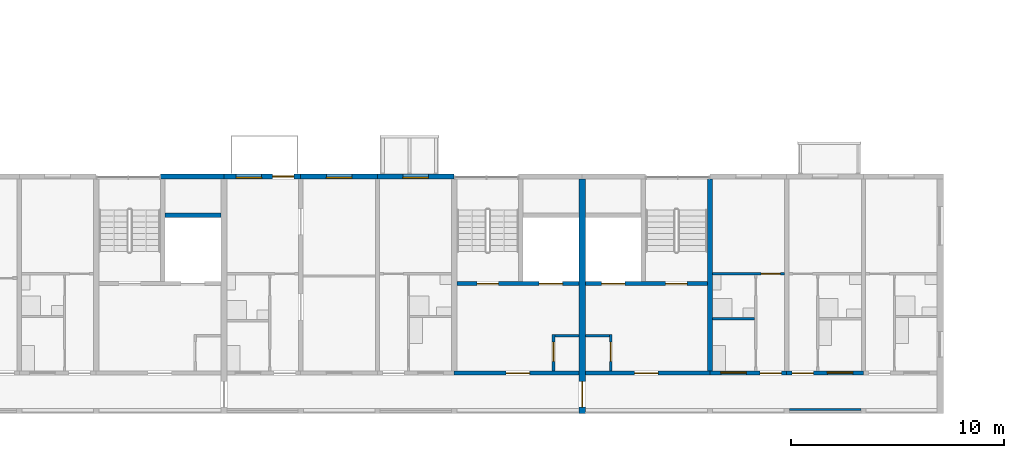
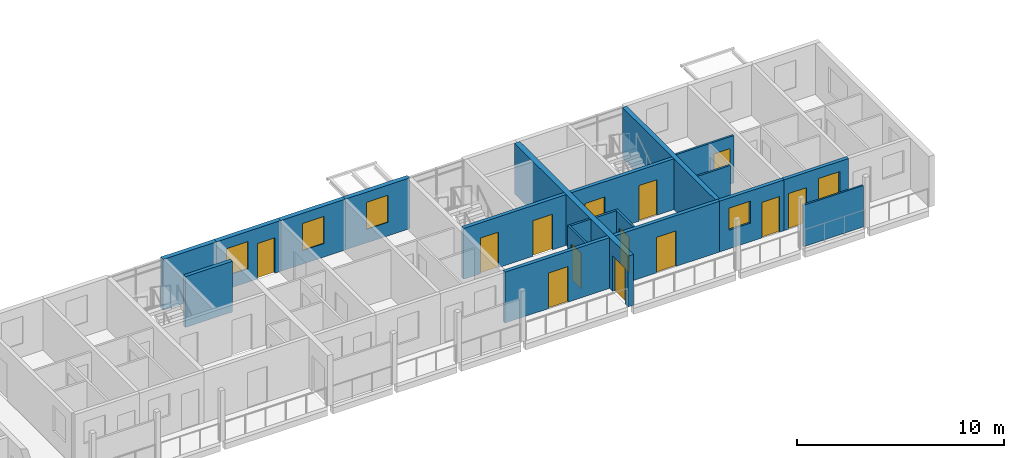
# One storey, part 37 of 78: 20 walls, 13 doors, 5 windows, 18 openings.
"""IFC4 building model written with IfcOpenShell, lengths in metres."""

import ifcopenshell
import ifcopenshell.guid

model = None  # the IFC model being written
_history = None  # IfcOwnerHistory: only IFC2X3 demands one
_inside = {}  # id of a spatial element -> (the spatial element, [elements in it])
_under = {}  # id of a project, library or spatial element -> (it, [spatial elements below it])
_declared = {}  # id of a project -> (the project, [libraries it declares])
_typed = {}  # id of a type object -> (the type object, [elements of that type])
_made_of = {}  # id of a material, layer set ... -> (it, [elements and type objects made of it])


def new_model(schema):
    """Start an empty IFC model of exactly this schema.

    Asked for "IFC4X3", IfcOpenShell would pick the latest addendum, in which some entities
    have other attributes; the version numbers below select the first issue.
    IFC2X3 requires an IfcOwnerHistory on every rooted entity: one is made here for all.
    """
    global model, _history
    if schema == "IFC4X3":
        model = ifcopenshell.file(schema_version=(4, 3, 0, 0))
    else:
        model = ifcopenshell.file(schema=schema)
    _inside.clear()
    _under.clear()
    _declared.clear()
    _typed.clear()
    _made_of.clear()
    _history = None
    if model.schema == "IFC2X3":
        org = make("IfcOrganization", Name="unknown")
        user = make(
            "IfcPersonAndOrganization",
            ThePerson=make("IfcPerson", FamilyName="unknown"),
            TheOrganization=org,
        )
        app = make(
            "IfcApplication",
            ApplicationDeveloper=org,
            Version="unknown",
            ApplicationFullName="unknown",
            ApplicationIdentifier="unknown",
        )
        _history = make(
            "IfcOwnerHistory",
            OwningUser=user,
            OwningApplication=app,
            ChangeAction="ADDED",
            CreationDate=0,
        )
    return model


def make(cls, **values):
    """One entity of the class cls with the attributes given. An attribute that is None is left unset."""
    return model.create_entity(
        cls, **{name: value for name, value in values.items() if value is not None}
    )


def rooted(cls, **values):
    """An entity with a GlobalId (a new one), such as an element, a storey or a relation."""
    return make(cls, GlobalId=ifcopenshell.guid.new(), OwnerHistory=_history, **values)


def si_unit(unit_type, name, prefix=None):
    """IfcSIUnit, for example si_unit("LENGTHUNIT", "METRE", prefix="MILLI")."""
    return make("IfcSIUnit", UnitType=unit_type, Prefix=prefix, Name=name)


def assignment(units):
    """IfcUnitAssignment: the units of a project."""
    return None if units is None else make("IfcUnitAssignment", Units=units)


def point(xyz):
    """IfcCartesianPoint."""
    return None if xyz is None else make("IfcCartesianPoint", Coordinates=xyz)


def direction(xyz):
    """IfcDirection."""
    return None if xyz is None else make("IfcDirection", DirectionRatios=xyz)


def frame(location, z_axis=None, x_axis=None):
    """IfcAxis2Placement3D, a coordinate frame: its origin and axes. An axis left out is left unset."""
    return make(
        "IfcAxis2Placement3D",
        Location=point(location),
        Axis=direction(z_axis),
        RefDirection=direction(x_axis),
    )


def frame_2d(location, x_axis=None):
    """IfcAxis2Placement2D, a coordinate frame in the plane: its origin and x axis."""
    return make(
        "IfcAxis2Placement2D", Location=point(location), RefDirection=direction(x_axis)
    )


def origin():
    """The frame at (0, 0, 0) with its axes left unset."""
    return frame((0.0, 0.0, 0.0))


def place(relative_to, where):
    """IfcLocalPlacement: puts the frame where relative to a parent placement (None: the world)."""
    return make(
        "IfcLocalPlacement", PlacementRelTo=relative_to, RelativePlacement=where
    )


def context(
    kind, dimensions, precision=None, world=None, true_north=None, identifier=None
):
    """IfcGeometricRepresentationContext, for example the 3D "Model" context."""
    return make(
        "IfcGeometricRepresentationContext",
        ContextIdentifier=identifier,
        ContextType=kind,
        CoordinateSpaceDimension=dimensions,
        Precision=precision,
        WorldCoordinateSystem=world,
        TrueNorth=true_north,
    )


def subcontext(parent, identifier, kind, view, scale=None):
    """IfcGeometricRepresentationSubContext, for example "Body" below "Model"."""
    return make(
        "IfcGeometricRepresentationSubContext",
        ContextIdentifier=identifier,
        ContextType=kind,
        ParentContext=parent,
        TargetScale=scale,
        TargetView=view,
    )


def project(units=None, contexts=None):
    """IfcProject with its units and contexts."""
    return rooted(
        "IfcProject",
        Name="project",
        RepresentationContexts=contexts,
        UnitsInContext=assignment(units),
    )


def spatial(cls, under=None, at=None, **own):
    """A site, building, storey or space (cls), placed at a placement, below another one or the project."""
    s = rooted(cls, ObjectPlacement=at, **own)
    if under is not None:
        _under.setdefault(under.id(), (under, []))[1].append(s)
    return s


def profile(cls, at=None, kind="AREA", **sizes):
    """A parametric profile (cls). Its sizes go by their IFC names, for example OverallWidth=200.0."""
    return make(cls, ProfileType=kind, Position=at, **sizes)


def rectangle(**sizes):
    """IfcRectangleProfileDef."""
    return profile("IfcRectangleProfileDef", **sizes)


def extrude(swept, where, along, depth):
    """IfcExtrudedAreaSolid: the profile swept, set in the frame where, extruded along a direction by depth."""
    return make(
        "IfcExtrudedAreaSolid",
        SweptArea=swept,
        Position=where,
        ExtrudedDirection=direction(along),
        Depth=depth,
    )


def shape(context_of_items, identifier, shape_type, items):
    """IfcShapeRepresentation: the items that make up one representation, for example the "Body"."""
    return make(
        "IfcShapeRepresentation",
        ContextOfItems=context_of_items,
        RepresentationIdentifier=identifier,
        RepresentationType=shape_type,
        Items=items,
    )


def material(Name=None, Category=None):
    """IfcMaterial."""
    return make("IfcMaterial", Name=Name, Category=Category)


def layer(
    of_material, thickness, ventilated=None, Name=None, Category=None, Priority=None
):
    """IfcMaterialLayer: one layer of a wall or slab, of a material (None: an air gap)."""
    return make(
        "IfcMaterialLayer",
        Material=of_material,
        LayerThickness=thickness,
        IsVentilated=ventilated,
        Name=Name,
        Category=Category,
        Priority=Priority,
    )


def layer_set(layers, Name=None):
    """IfcMaterialLayerSet."""
    return make("IfcMaterialLayerSet", MaterialLayers=layers, LayerSetName=Name)


def made_of(thing, what):
    """Note that an element or type object is made of a material, layer set ...; save() writes the relation."""
    if what is not None:
        _made_of.setdefault(what.id(), (what, []))[1].append(thing)
    return thing


def type_object(cls, material=None, **own):
    """A type object (cls), such as IfcWallType, which elements share."""
    return made_of(rooted(cls, **own), material)


def element(
    cls,
    number,
    at=None,
    inside=None,
    cuts=None,
    type_object=None,
    material=None,
    context=None,
    identifier="Body",
    shape_type=None,
    held_by="IfcProductDefinitionShape",
    body=None,
    shapes=None,
    **own,
):
    """One element of the class cls, such as IfcWall. Its Tag is "e" and its number.

    at: its placement. inside: the storey or other place that contains it. cuts: it is an
    opening in that element (IfcRelVoidsElement). A single representation is given by context,
    identifier, shape_type and body (its items); several are given by shapes. held_by: the class
    of the entity that holds the representations. save() writes the other relations.
    """
    e = rooted(cls, Tag="e%d" % number, ObjectPlacement=at, **own)
    if body is not None:
        shapes = [shape(context, identifier, shape_type, body)]
    if shapes is not None:
        e.Representation = make(held_by, Representations=shapes)
    if inside is not None:
        _inside.setdefault(inside.id(), (inside, []))[1].append(e)
    if cuts is not None:
        rooted(
            "IfcRelVoidsElement", RelatingBuildingElement=cuts, RelatedOpeningElement=e
        )
    if type_object is not None:
        _typed.setdefault(type_object.id(), (type_object, []))[1].append(e)
    return made_of(e, material)


def fill(opening, filler):
    """IfcRelFillsElement: the door or window that sits in an opening."""
    return rooted(
        "IfcRelFillsElement",
        RelatingOpeningElement=opening,
        RelatedBuildingElement=filler,
    )


def aggregate(whole, parts):
    """IfcRelAggregates: a whole, such as a stair, and the parts it consists of."""
    return rooted("IfcRelAggregates", RelatingObject=whole, RelatedObjects=parts)


def save(model, path):
    """Write the relations noted so far, then the file.

    IfcRelAggregates (storeys below a building ...), IfcRelContainedInSpatialStructure (elements
    in a storey), IfcRelDefinesByType, IfcRelAssociatesMaterial and IfcRelDeclares: one each for
    every whole, place, type object, material and project.
    """
    for whole, parts in _under.values():
        aggregate(whole, parts)
    for where, things in _inside.values():
        rooted(
            "IfcRelContainedInSpatialStructure",
            RelatedElements=things,
            RelatingStructure=where,
        )
    for kind, things in _typed.values():
        rooted("IfcRelDefinesByType", RelatedObjects=things, RelatingType=kind)
    for what, things in _made_of.values():
        rooted("IfcRelAssociatesMaterial", RelatedObjects=things, RelatingMaterial=what)
    for by, libraries in _declared.values():
        rooted("IfcRelDeclares", RelatingContext=by, RelatedDefinitions=libraries)
    model.write(path)


model = new_model("IFC4")

# Units and contexts
model_context = context("Model", 3, precision=1e-05, world=origin(), true_north=direction((0.0, 1.0)))
body_context = subcontext(model_context, "Body", "Model", "MODEL_VIEW")
ifc_project = project(units=[si_unit("LENGTHUNIT", "METRE"), si_unit("AREAUNIT", "SQUARE_METRE"), si_unit("VOLUMEUNIT", "CUBIC_METRE"), si_unit("PLANEANGLEUNIT", "RADIAN"), si_unit("MASSUNIT", "GRAM", prefix="KILO")], contexts=[model_context])

# Site, building, storey
site_placement = place(None, origin())
site = spatial("IfcSite", under=ifc_project, at=site_placement, CompositionType="ELEMENT")
building_placement = place(site_placement, origin())
building = spatial("IfcBuilding", under=site, at=building_placement, Name="Ridgestep Commons", CompositionType="ELEMENT")
storey_placement = place(building_placement, frame((0.0, 0.0, 30.0)))
storey = spatial("IfcBuildingStorey", under=building, at=storey_placement, Name="L10", CompositionType="ELEMENT", Elevation=30.0)

# Wall
ifc_material_1 = material(Name="Concrete C30/37", Category="concrete")
ifc_layer_1 = layer(ifc_material_1, 0.25)
ifc_layer_set_1 = layer_set([ifc_layer_1], Name="Core cross wall 250")
wall_type_1 = type_object("IfcWallType", Name="Core cross wall 250", PredefinedType="SHEAR", material=ifc_layer_set_1)
wall_1_placement = place(storey_placement, frame((102.0, 13.75, 0.0), z_axis=(0.0, 0.0, 1.0), x_axis=(0.0, 1.0, 0.0)))
element("IfcWall", 1, at=wall_1_placement, inside=storey, type_object=wall_type_1, Name="Cross wall A-10-1020", PredefinedType="SHEAR", context=body_context, shape_type="SweptSolid", body=[
    extrude(rectangle(XDim=9.0, YDim=0.25, at=frame_2d((4.5, 0.0))), origin(), (0.0, 0.0, 1.0), 3.0),
])

# Wall, opening, door
ifc_material_2 = material(Name="Concrete C30/37", Category="concrete")
ifc_layer_2 = layer(ifc_material_2, 0.199951171875)
ifc_layer_set_2 = layer_set([ifc_layer_2], Name="Core south wall 200")
wall_type_2 = type_object("IfcWallType", Name="Core south wall 200", PredefinedType="SHEAR", material=ifc_layer_set_2)
wall_2_placement = place(storey_placement, frame((90.0, 13.64990234375, 0.0), z_axis=(0.0, 0.0, 1.0), x_axis=(1.0, 0.0, 0.0)))
wall_2 = element("IfcWall", 2, at=wall_2_placement, inside=storey, type_object=wall_type_2, Name="Core south wall A5C L10", PredefinedType="SHEAR", context=body_context, shape_type="SweptSolid", body=[
    extrude(rectangle(XDim=5.85009765625, YDim=0.199951171875, at=frame_2d((2.925048828125, 0.0))), origin(), (0.0, 0.0, 1.0), 3.0),
])
opening_1_placement = place(wall_2_placement, frame((2.4375, 0.0, 0.0)))
opening_1 = element("IfcOpeningElement", 3, at=opening_1_placement, cuts=wall_2, Name="Opening A5C/10/1", PredefinedType="OPENING", context=body_context, shape_type="SweptSolid", body=[
    extrude(rectangle(XDim=1.10009765625, YDim=2.10009765625, at=frame_2d((0.550048828125, 1.050048828125))), frame((0.0, 0.10986328125, 0.0), z_axis=(0.0, -1.0, 0.0), x_axis=(1.0, 0.0, 0.0)), (0.0, 0.0, 1.0), 0.219970703125),
])
ifc_material_3 = material(Name="Steel fire door", Category="steel")
door_type_1 = type_object("IfcDoorType", Name="Lobby door 1100 x 2100 FD60", OperationType="NOTDEFINED", PredefinedType="DOOR", material=ifc_material_3)
door_1_placement = place(opening_1_placement, origin())
door_1 = element("IfcDoor", 4, at=door_1_placement, inside=storey, type_object=door_type_1, Name="Lobby door A5C/10/1", OperationType="SINGLE_SWING_LEFT", OverallHeight=2.10009765625, OverallWidth=1.10009765625, PredefinedType="DOOR", context=body_context, shape_type="SweptSolid", body=[
    extrude(rectangle(XDim=1.10009765625, YDim=2.10009765625, at=frame_2d((0.550048828125, 1.050048828125))), frame((0.0, 0.02490234375, 0.0), z_axis=(0.0, -1.0, 0.0), x_axis=(1.0, 0.0, 0.0)), (0.0, 0.0, 1.0), 0.050048828125),
])
fill(opening_1, door_1)

wall_3_placement = place(storey_placement, frame((96.14990234375, 13.64990234375, 0.0), z_axis=(0.0, 0.0, 1.0), x_axis=(1.0, 0.0, 0.0)))
wall_3 = element("IfcWall", 5, at=wall_3_placement, inside=storey, type_object=wall_type_2, Name="Core south wall A6C L10", PredefinedType="SHEAR", context=body_context, shape_type="SweptSolid", body=[
    extrude(rectangle(XDim=5.85009765625, YDim=0.199951171875, at=frame_2d((2.925048828125, 0.0))), origin(), (0.0, 0.0, 1.0), 3.0),
])
opening_2_placement = place(wall_3_placement, frame((2.3125, 0.0, 0.0)))
opening_2 = element("IfcOpeningElement", 6, at=opening_2_placement, cuts=wall_3, Name="Opening A6C/10/1", PredefinedType="OPENING", context=body_context, shape_type="SweptSolid", body=[
    extrude(rectangle(XDim=1.10009765625, YDim=2.10009765625, at=frame_2d((0.550048828125, 1.050048828125))), frame((0.0, 0.10986328125, 0.0), z_axis=(0.0, -1.0, 0.0), x_axis=(1.0, 0.0, 0.0)), (0.0, 0.0, 1.0), 0.219970703125),
])
door_2_placement = place(opening_2_placement, origin())
door_2 = element("IfcDoor", 7, at=door_2_placement, inside=storey, type_object=door_type_1, Name="Lobby door A6C/10/1", OperationType="SINGLE_SWING_LEFT", OverallHeight=2.10009765625, OverallWidth=1.10009765625, PredefinedType="DOOR", context=body_context, shape_type="SweptSolid", body=[
    extrude(rectangle(XDim=1.10009765625, YDim=2.10009765625, at=frame_2d((0.550048828125, 1.050048828125))), frame((0.0, 0.02490234375, 0.0), z_axis=(0.0, -1.0, 0.0), x_axis=(1.0, 0.0, 0.0)), (0.0, 0.0, 1.0), 0.050048828125),
])
fill(opening_2, door_2)

ifc_material_4 = material(Name="Concrete C30/37", Category="concrete")
ifc_layer_3 = layer(ifc_material_4, 0.1201171875)
ifc_layer_set_3 = layer_set([ifc_layer_3], Name="Core wall 120")
wall_type_3 = type_object("IfcWallType", Name="Core wall 120", PredefinedType="SHEAR", material=ifc_layer_set_3)
wall_4_placement = place(storey_placement, frame((94.659912109375, 13.75, 0.0), z_axis=(0.0, 0.0, 1.0), x_axis=(0.0, 1.0, 0.0)))
wall_4 = element("IfcWall", 8, at=wall_4_placement, inside=storey, type_object=wall_type_3, Name="Core riser w wall A5C L10", PredefinedType="SHEAR", context=body_context, shape_type="SweptSolid", body=[
    extrude(rectangle(XDim=1.719970703125, YDim=0.1201171875, at=frame_2d((0.85986328125, 0.0))), origin(), (0.0, 0.0, 1.0), 3.0),
])
opening_3_placement = place(wall_4_placement, frame((0.449951171875, 0.0, 0.0)))
opening_3 = element("IfcOpeningElement", 9, at=opening_3_placement, cuts=wall_4, Name="Opening A5C/10/4", PredefinedType="OPENING", context=body_context, shape_type="SweptSolid", body=[
    extrude(rectangle(XDim=0.89990234375, YDim=2.10009765625, at=frame_2d((0.449951171875, 1.050048828125))), frame((0.0, 0.070068359375, 0.0), z_axis=(0.0, -1.0, 0.0), x_axis=(1.0, 0.0, 0.0)), (0.0, 0.0, 1.0), 0.14013671875),
])
ifc_material_5 = material(Name="Steel fire door", Category="steel")
door_type_2 = type_object("IfcDoorType", Name="Riser door 900 x 2100 FD60", OperationType="NOTDEFINED", PredefinedType="DOOR", material=ifc_material_5)
door_3_placement = place(opening_3_placement, origin())
door_3 = element("IfcDoor", 10, at=door_3_placement, inside=storey, type_object=door_type_2, Name="Riser door A5C/10/4", OperationType="SINGLE_SWING_LEFT", OverallHeight=2.10009765625, OverallWidth=0.89990234375, PredefinedType="DOOR", context=body_context, shape_type="SweptSolid", body=[
    extrude(rectangle(XDim=0.89990234375, YDim=2.10009765625, at=frame_2d((0.449951171875, 1.050048828125))), frame((0.0, 0.02490234375, 0.0), z_axis=(0.0, -1.0, 0.0), x_axis=(1.0, 0.0, 0.0)), (0.0, 0.0, 1.0), 0.050048828125),
])
fill(opening_3, door_3)

# Wall
wall_5_placement = place(storey_placement, frame((94.719970703125, 15.409912109375, 0.0), z_axis=(0.0, 0.0, 1.0), x_axis=(1.0, 0.0, 0.0)))
element("IfcWall", 11, at=wall_5_placement, inside=storey, type_object=wall_type_3, Name="Core riser n wall A5C L10", PredefinedType="SHEAR", context=body_context, shape_type="SweptSolid", body=[
    extrude(rectangle(XDim=1.130126953125, YDim=0.1201171875, at=frame_2d((0.56494140625, 0.0))), origin(), (0.0, 0.0, 1.0), 3.0),
])

# Wall, opening, door
wall_6_placement = place(storey_placement, frame((97.340087890625, 13.75, 0.0), z_axis=(0.0, 0.0, 1.0), x_axis=(0.0, 1.0, 0.0)))
wall_6 = element("IfcWall", 12, at=wall_6_placement, inside=storey, type_object=wall_type_3, Name="Core riser w wall A6C L10", PredefinedType="SHEAR", context=body_context, shape_type="SweptSolid", body=[
    extrude(rectangle(XDim=1.719970703125, YDim=0.1201171875, at=frame_2d((0.85986328125, 0.0))), origin(), (0.0, 0.0, 1.0), 3.0),
])
opening_4_placement = place(wall_6_placement, frame((0.449951171875, 0.0, 0.0)))
opening_4 = element("IfcOpeningElement", 13, at=opening_4_placement, cuts=wall_6, Name="Opening A6C/10/4", PredefinedType="OPENING", context=body_context, shape_type="SweptSolid", body=[
    extrude(rectangle(XDim=0.89990234375, YDim=2.10009765625, at=frame_2d((0.449951171875, 1.050048828125))), frame((0.0, 0.070068359375, 0.0), z_axis=(0.0, -1.0, 0.0), x_axis=(1.0, 0.0, 0.0)), (0.0, 0.0, 1.0), 0.14013671875),
])
door_4_placement = place(opening_4_placement, origin())
door_4 = element("IfcDoor", 14, at=door_4_placement, inside=storey, type_object=door_type_2, Name="Riser door A6C/10/4", OperationType="SINGLE_SWING_RIGHT", OverallHeight=2.10009765625, OverallWidth=0.89990234375, PredefinedType="DOOR", context=body_context, shape_type="SweptSolid", body=[
    extrude(rectangle(XDim=0.89990234375, YDim=2.10009765625, at=frame_2d((0.449951171875, 1.050048828125))), frame((0.0, 0.02490234375, 0.0), z_axis=(0.0, -1.0, 0.0), x_axis=(1.0, 0.0, 0.0)), (0.0, 0.0, 1.0), 0.050048828125),
])
fill(opening_4, door_4)

# Walls
wall_7_placement = place(storey_placement, frame((96.14990234375, 15.409912109375, 0.0), z_axis=(0.0, 0.0, 1.0), x_axis=(1.0, 0.0, 0.0)))
element("IfcWall", 15, at=wall_7_placement, inside=storey, type_object=wall_type_3, Name="Core riser n wall A6C L10", PredefinedType="SHEAR", context=body_context, shape_type="SweptSolid", body=[
    extrude(rectangle(XDim=1.130126953125, YDim=0.1201171875, at=frame_2d((0.56494140625, 0.0))), origin(), (0.0, 0.0, 1.0), 3.0),
])
ifc_material_6 = material(Name="Concrete C30/37", Category="concrete")
ifc_layer_4 = layer(ifc_material_6, 0.199951171875)
ifc_layer_set_4 = layer_set([ifc_layer_4], Name="Core wall 200")
wall_type_4 = type_object("IfcWallType", Name="Core wall 200", PredefinedType="SHEAR", material=ifc_layer_set_4)
wall_8_placement = place(storey_placement, frame((76.425048828125, 21.050048828125, 0.0), z_axis=(0.0, 0.0, 1.0), x_axis=(1.0, 0.0, 0.0)))
element("IfcWall", 16, at=wall_8_placement, inside=storey, type_object=wall_type_4, Name="Core duct wall A4C L10", PredefinedType="SHEAR", context=body_context, shape_type="SweptSolid", body=[
    extrude(rectangle(XDim=2.625, YDim=0.199951171875, at=frame_2d((1.3125, 0.0))), origin(), (0.0, 0.0, 1.0), 3.0),
])

# Wall, openings, doors
wall_9_placement = place(storey_placement, frame((90.125, 17.85009765625, 0.0), z_axis=(0.0, 0.0, 1.0), x_axis=(1.0, 0.0, 0.0)))
wall_9 = element("IfcWall", 17, at=wall_9_placement, inside=storey, type_object=wall_type_4, Name="Core lobby wall A5C L10", PredefinedType="SHEAR", context=body_context, shape_type="SweptSolid", body=[
    extrude(rectangle(XDim=5.72509765625, YDim=0.199951171875, at=frame_2d((2.862548828125, 0.0))), origin(), (0.0, 0.0, 1.0), 3.0),
])
opening_5_placement = place(wall_9_placement, frame((0.949951171875, 0.0, 0.0)))
opening_5 = element("IfcOpeningElement", 18, at=opening_5_placement, cuts=wall_9, Name="Opening A5C/10/2", PredefinedType="OPENING", context=body_context, shape_type="SweptSolid", body=[
    extrude(rectangle(XDim=1.0, YDim=2.10009765625, at=frame_2d((0.5, 1.050048828125))), frame((0.0, 0.10986328125, 0.0), z_axis=(0.0, -1.0, 0.0), x_axis=(1.0, 0.0, 0.0)), (0.0, 0.0, 1.0), 0.219970703125),
])
opening_6_placement = place(wall_9_placement, frame((3.862548828125, 0.0, 0.0)))
opening_6 = element("IfcOpeningElement", 19, at=opening_6_placement, cuts=wall_9, Name="Opening A5C/10/3", PredefinedType="OPENING", context=body_context, shape_type="SweptSolid", body=[
    extrude(rectangle(XDim=1.10009765625, YDim=2.10009765625, at=frame_2d((0.550048828125, 1.050048828125))), frame((0.0, 0.10986328125, 0.0), z_axis=(0.0, -1.0, 0.0), x_axis=(1.0, 0.0, 0.0)), (0.0, 0.0, 1.0), 0.219970703125),
])
ifc_material_7 = material(Name="Stainless steel", Category="steel")
door_type_3 = type_object("IfcDoorType", Name="Lift landing door 1100 x 2100 FD60", OperationType="DOUBLE_DOOR_SLIDING", PredefinedType="DOOR", material=ifc_material_7)
door_5_placement = place(opening_6_placement, origin())
door_5 = element("IfcDoor", 20, at=door_5_placement, inside=storey, type_object=door_type_3, Name="Landing door LD A5C L10", OperationType="DOUBLE_DOOR_SLIDING", OverallHeight=2.10009765625, OverallWidth=1.10009765625, PredefinedType="DOOR", context=body_context, shape_type="SweptSolid", body=[
    extrude(rectangle(XDim=1.10009765625, YDim=2.10009765625, at=frame_2d((0.550048828125, 1.050048828125))), frame((0.0, 0.02490234375, 0.0), z_axis=(0.0, -1.0, 0.0), x_axis=(1.0, 0.0, 0.0)), (0.0, 0.0, 1.0), 0.050048828125),
])
fill(opening_6, door_5)
ifc_material_8 = material(Name="Steel fire door", Category="steel")
door_type_4 = type_object("IfcDoorType", Name="Stair door 1000 x 2100 FD60", OperationType="NOTDEFINED", PredefinedType="DOOR", material=ifc_material_8)
door_6_placement = place(opening_5_placement, origin())
door_6 = element("IfcDoor", 21, at=door_6_placement, inside=storey, type_object=door_type_4, Name="Stair door A5C/10/2", OperationType="SINGLE_SWING_RIGHT", OverallHeight=2.10009765625, OverallWidth=1.0, PredefinedType="DOOR", context=body_context, shape_type="SweptSolid", body=[
    extrude(rectangle(XDim=1.0, YDim=2.10009765625, at=frame_2d((0.5, 1.050048828125))), frame((0.0, 0.02490234375, 0.0), z_axis=(0.0, -1.0, 0.0), x_axis=(1.0, 0.0, 0.0)), (0.0, 0.0, 1.0), 0.050048828125),
])
fill(opening_5, door_6)

wall_10_placement = place(storey_placement, frame((96.14990234375, 17.85009765625, 0.0), z_axis=(0.0, 0.0, 1.0), x_axis=(1.0, 0.0, 0.0)))
wall_10 = element("IfcWall", 22, at=wall_10_placement, inside=storey, type_object=wall_type_4, Name="Core lobby wall A6C L10", PredefinedType="SHEAR", context=body_context, shape_type="SweptSolid", body=[
    extrude(rectangle(XDim=5.72509765625, YDim=0.199951171875, at=frame_2d((2.862548828125, 0.0))), origin(), (0.0, 0.0, 1.0), 3.0),
])
opening_7_placement = place(wall_10_placement, frame((3.77490234375, 0.0, 0.0)))
opening_7 = element("IfcOpeningElement", 23, at=opening_7_placement, cuts=wall_10, Name="Opening A6C/10/2", PredefinedType="OPENING", context=body_context, shape_type="SweptSolid", body=[
    extrude(rectangle(XDim=1.0, YDim=2.10009765625, at=frame_2d((0.5, 1.050048828125))), frame((0.0, 0.10986328125, 0.0), z_axis=(0.0, -1.0, 0.0), x_axis=(1.0, 0.0, 0.0)), (0.0, 0.0, 1.0), 0.219970703125),
])
opening_8_placement = place(wall_10_placement, frame((0.762451171875, 0.0, 0.0)))
opening_8 = element("IfcOpeningElement", 24, at=opening_8_placement, cuts=wall_10, Name="Opening A6C/10/3", PredefinedType="OPENING", context=body_context, shape_type="SweptSolid", body=[
    extrude(rectangle(XDim=1.10009765625, YDim=2.10009765625, at=frame_2d((0.550048828125, 1.050048828125))), frame((0.0, 0.10986328125, 0.0), z_axis=(0.0, -1.0, 0.0), x_axis=(1.0, 0.0, 0.0)), (0.0, 0.0, 1.0), 0.219970703125),
])
door_7_placement = place(opening_8_placement, origin())
door_7 = element("IfcDoor", 25, at=door_7_placement, inside=storey, type_object=door_type_3, Name="Landing door LD A6C L10", OperationType="DOUBLE_DOOR_SLIDING", OverallHeight=2.10009765625, OverallWidth=1.10009765625, PredefinedType="DOOR", context=body_context, shape_type="SweptSolid", body=[
    extrude(rectangle(XDim=1.10009765625, YDim=2.10009765625, at=frame_2d((0.550048828125, 1.050048828125))), frame((0.0, 0.02490234375, 0.0), z_axis=(0.0, -1.0, 0.0), x_axis=(1.0, 0.0, 0.0)), (0.0, 0.0, 1.0), 0.050048828125),
])
fill(opening_8, door_7)
door_8_placement = place(opening_7_placement, origin())
door_8 = element("IfcDoor", 26, at=door_8_placement, inside=storey, type_object=door_type_4, Name="Stair door A6C/10/2", OperationType="SINGLE_SWING_RIGHT", OverallHeight=2.10009765625, OverallWidth=1.0, PredefinedType="DOOR", context=body_context, shape_type="SweptSolid", body=[
    extrude(rectangle(XDim=1.0, YDim=2.10009765625, at=frame_2d((0.5, 1.050048828125))), frame((0.0, 0.02490234375, 0.0), z_axis=(0.0, -1.0, 0.0), x_axis=(1.0, 0.0, 0.0)), (0.0, 0.0, 1.0), 0.050048828125),
])
fill(opening_7, door_8)

# Wall, opening, door
ifc_material_9 = material(Name="Precast concrete C40/50", Category="concrete")
ifc_layer_5 = layer(ifc_material_9, 0.300048828125)
ifc_layer_set_5 = layer_set([ifc_layer_5], Name="Division wall 300")
wall_type_5 = type_object("IfcWallType", Name="Division wall 300", PredefinedType="SHEAR", material=ifc_layer_set_5)
wall_11_placement = place(storey_placement, frame((96.0, 11.75, 0.0), z_axis=(0.0, 0.0, 1.0), x_axis=(0.0, 1.0, 0.0)))
wall_11 = element("IfcWall", 27, at=wall_11_placement, inside=storey, type_object=wall_type_5, Name="Cross wall A-10-0960", PredefinedType="SHEAR", context=body_context, shape_type="SweptSolid", body=[
    extrude(rectangle(XDim=11.0, YDim=0.300048828125, at=frame_2d((5.5, 0.0))), origin(), (0.0, 0.0, 1.0), 3.0),
])
opening_9_placement = place(wall_11_placement, frame((0.300048828125, 0.0, 0.0)))
opening_9 = element("IfcOpeningElement", 28, at=opening_9_placement, cuts=wall_11, Name="Opening A/10/G0960", PredefinedType="OPENING", context=body_context, shape_type="SweptSolid", body=[
    extrude(rectangle(XDim=1.199951171875, YDim=2.10009765625, at=frame_2d((0.60009765625, 1.050048828125))), frame((0.0, 0.159912109375, 0.0), z_axis=(0.0, -1.0, 0.0), x_axis=(1.0, 0.0, 0.0)), (0.0, 0.0, 1.0), 0.320068359375),
])
ifc_material_10 = material(Name="Steel fire door", Category="steel")
door_type_5 = type_object("IfcDoorType", Name="Division fire door 1200 x 2100 EI 240", OperationType="DOUBLE_DOOR_SINGLE_SWING", PredefinedType="DOOR", material=ifc_material_10)
door_9_placement = place(opening_9_placement, origin())
door_9 = element("IfcDoor", 29, at=door_9_placement, inside=storey, type_object=door_type_5, Name="Division fire door A/10/G0960", OperationType="DOUBLE_DOOR_SINGLE_SWING", OverallHeight=2.10009765625, OverallWidth=1.199951171875, PredefinedType="DOOR", context=body_context, shape_type="SweptSolid", body=[
    extrude(rectangle(XDim=1.199951171875, YDim=2.10009765625, at=frame_2d((0.60009765625, 1.050048828125))), frame((0.0, 0.02490234375, 0.0), z_axis=(0.0, -1.0, 0.0), x_axis=(1.0, 0.0, 0.0)), (0.0, 0.0, 1.0), 0.050048828125),
])
fill(opening_9, door_9)

# Wall
ifc_material_11 = material(Name="Precast concrete C40/50", Category="concrete")
ifc_layer_6 = layer(ifc_material_11, 0.25)
ifc_layer_set_6 = layer_set([ifc_layer_6], Name="North facade panel 250")
wall_type_6 = type_object("IfcWallType", Name="North facade panel 250", PredefinedType="SOLIDWALL", material=ifc_layer_set_6)
wall_12_placement = place(storey_placement, frame((76.22509765625, 22.875, 0.0), z_axis=(0.0, 0.0, 1.0), x_axis=(1.0, 0.0, 0.0)))
element("IfcWall", 30, at=wall_12_placement, inside=storey, type_object=wall_type_6, Name="North panel A4C L10", PredefinedType="SOLIDWALL", context=body_context, shape_type="SweptSolid", body=[
    extrude(rectangle(XDim=2.974853515625, YDim=0.25, at=frame_2d((1.4873046875, 0.0))), origin(), (0.0, 0.0, 1.0), 3.0),
])

# Wall, openings, door, window
wall_13_placement = place(storey_placement, frame((79.199951171875, 22.875, 0.0), z_axis=(0.0, 0.0, 1.0), x_axis=(1.0, 0.0, 0.0)))
wall_13 = element("IfcWall", 31, at=wall_13_placement, inside=storey, type_object=wall_type_6, Name="North panel A5T1 L10", PredefinedType="SOLIDWALL", context=body_context, shape_type="SweptSolid", body=[
    extrude(rectangle(XDim=3.60009765625, YDim=0.25, at=frame_2d((1.800048828125, 0.0))), origin(), (0.0, 0.0, 1.0), 3.0),
])
opening_10_placement = place(wall_13_placement, frame((0.56591796875, 0.0, 0.800048828125)))
opening_10 = element("IfcOpeningElement", 32, at=opening_10_placement, cuts=wall_13, Name="Opening W11", PredefinedType="OPENING", context=body_context, shape_type="SweptSolid", body=[
    extrude(rectangle(XDim=1.199951171875, YDim=1.60009765625, at=frame_2d((0.60009765625, 0.800048828125))), frame((0.0, 0.135009765625, 0.0), z_axis=(0.0, -1.0, 0.0), x_axis=(1.0, 0.0, 0.0)), (0.0, 0.0, 1.0), 0.27001953125),
])
opening_11_placement = place(wall_13_placement, frame((2.281982421875, 0.0, 0.0)))
opening_11 = element("IfcOpeningElement", 33, at=opening_11_placement, cuts=wall_13, Name="Opening A5-10a/7", PredefinedType="OPENING", context=body_context, shape_type="SweptSolid", body=[
    extrude(rectangle(XDim=1.0, YDim=2.10009765625, at=frame_2d((0.5, 1.050048828125))), frame((0.0, 0.135009765625, 0.0), z_axis=(0.0, -1.0, 0.0), x_axis=(1.0, 0.0, 0.0)), (0.0, 0.0, 1.0), 0.27001953125),
])
ifc_material_12 = material(Name="Aluminium and glass", Category="aluminium")
door_type_6 = type_object("IfcDoorType", Name="Balcony door 1000 x 2100", OperationType="NOTDEFINED", PredefinedType="DOOR", material=ifc_material_12)
door_10_placement = place(opening_11_placement, origin())
door_10 = element("IfcDoor", 34, at=door_10_placement, inside=storey, type_object=door_type_6, Name="Balcony door A5-10a/7", OperationType="SINGLE_SWING_LEFT", OverallHeight=2.10009765625, OverallWidth=1.0, PredefinedType="DOOR", context=body_context, shape_type="SweptSolid", body=[
    extrude(rectangle(XDim=1.0, YDim=2.10009765625, at=frame_2d((0.5, 1.050048828125))), frame((0.0, 0.02490234375, 0.0), z_axis=(0.0, -1.0, 0.0), x_axis=(1.0, 0.0, 0.0)), (0.0, 0.0, 1.0), 0.050048828125),
])
fill(opening_11, door_10)
ifc_material_13 = material(Name="Aluminium 6063-T6 and glass", Category="aluminium")
window_type_1 = type_object("IfcWindowType", Name="Flat window 1200 x 1600", PartitioningType="SINGLE_PANEL", PredefinedType="WINDOW", material=ifc_material_13)
window_1_placement = place(opening_10_placement, origin())
window_1 = element("IfcWindow", 35, at=window_1_placement, inside=storey, type_object=window_type_1, Name="Window A5-10a 4", OverallHeight=1.60009765625, OverallWidth=1.199951171875, PartitioningType="SINGLE_PANEL", PredefinedType="WINDOW", context=body_context, shape_type="SweptSolid", body=[
    extrude(rectangle(XDim=1.199951171875, YDim=1.60009765625, at=frame_2d((0.60009765625, 0.800048828125))), frame((0.0, -0.02490234375, 0.0), z_axis=(0.0, -1.0, 0.0), x_axis=(1.0, 0.0, 0.0)), (0.0, 0.0, 1.0), 0.06005859375),
])
fill(opening_10, window_1)

# Wall, opening, window
wall_14_placement = place(storey_placement, frame((82.800048828125, 22.875, 0.0), z_axis=(0.0, 0.0, 1.0), x_axis=(1.0, 0.0, 0.0)))
wall_14 = element("IfcWall", 36, at=wall_14_placement, inside=storey, type_object=wall_type_6, Name="North panel A5T2 L10", PredefinedType="SOLIDWALL", context=body_context, shape_type="SweptSolid", body=[
    extrude(rectangle(XDim=3.599853515625, YDim=0.25, at=frame_2d((1.7998046875, 0.0))), origin(), (0.0, 0.0, 1.0), 3.0),
])
opening_12_placement = place(wall_14_placement, frame((1.199951171875, 0.0, 0.800048828125)))
opening_12 = element("IfcOpeningElement", 37, at=opening_12_placement, cuts=wall_14, Name="Opening W11", PredefinedType="OPENING", context=body_context, shape_type="SweptSolid", body=[
    extrude(rectangle(XDim=1.199951171875, YDim=1.60009765625, at=frame_2d((0.60009765625, 0.800048828125))), frame((0.0, 0.135009765625, 0.0), z_axis=(0.0, -1.0, 0.0), x_axis=(1.0, 0.0, 0.0)), (0.0, 0.0, 1.0), 0.27001953125),
])
window_2_placement = place(opening_12_placement, origin())
window_2 = element("IfcWindow", 38, at=window_2_placement, inside=storey, type_object=window_type_1, Name="Window A5-10a 2", OverallHeight=1.60009765625, OverallWidth=1.199951171875, PartitioningType="SINGLE_PANEL", PredefinedType="WINDOW", context=body_context, shape_type="SweptSolid", body=[
    extrude(rectangle(XDim=1.199951171875, YDim=1.60009765625, at=frame_2d((0.60009765625, 0.800048828125))), frame((0.0, -0.02490234375, 0.0), z_axis=(0.0, -1.0, 0.0), x_axis=(1.0, 0.0, 0.0)), (0.0, 0.0, 1.0), 0.06005859375),
])
fill(opening_12, window_2)

wall_15_placement = place(storey_placement, frame((86.39990234375, 22.875, 0.0), z_axis=(0.0, 0.0, 1.0), x_axis=(1.0, 0.0, 0.0)))
wall_15 = element("IfcWall", 39, at=wall_15_placement, inside=storey, type_object=wall_type_6, Name="North panel A5T3 L10", PredefinedType="SOLIDWALL", context=body_context, shape_type="SweptSolid", body=[
    extrude(rectangle(XDim=3.60009765625, YDim=0.25, at=frame_2d((1.800048828125, 0.0))), origin(), (0.0, 0.0, 1.0), 3.0),
])
opening_13_placement = place(wall_15_placement, frame((1.1875, 0.0, 0.800048828125)))
opening_13 = element("IfcOpeningElement", 40, at=opening_13_placement, cuts=wall_15, Name="Opening W11", PredefinedType="OPENING", context=body_context, shape_type="SweptSolid", body=[
    extrude(rectangle(XDim=1.199951171875, YDim=1.60009765625, at=frame_2d((0.60009765625, 0.800048828125))), frame((0.0, 0.135009765625, 0.0), z_axis=(0.0, -1.0, 0.0), x_axis=(1.0, 0.0, 0.0)), (0.0, 0.0, 1.0), 0.27001953125),
])
window_3_placement = place(opening_13_placement, origin())
window_3 = element("IfcWindow", 41, at=window_3_placement, inside=storey, type_object=window_type_1, Name="Window A5-10b 2", OverallHeight=1.60009765625, OverallWidth=1.199951171875, PartitioningType="SINGLE_PANEL", PredefinedType="WINDOW", context=body_context, shape_type="SweptSolid", body=[
    extrude(rectangle(XDim=1.199951171875, YDim=1.60009765625, at=frame_2d((0.60009765625, 0.800048828125))), frame((0.0, -0.02490234375, 0.0), z_axis=(0.0, -1.0, 0.0), x_axis=(1.0, 0.0, 0.0)), (0.0, 0.0, 1.0), 0.06005859375),
])
fill(opening_13, window_3)

# Wall
ifc_material_14 = material(Name="Common brick 110 mm", Category="masonry")
ifc_layer_7 = layer(ifc_material_14, 0.110107421875)
ifc_layer_set_7 = layer_set([ifc_layer_7], Name="Partition 110")
wall_type_7 = type_object("IfcWallType", Name="Partition 110", PredefinedType="PARTITIONING", material=ifc_layer_set_7)
wall_16_placement = place(storey_placement, frame((102.125, 16.205078125, 0.0), z_axis=(0.0, 0.0, 1.0), x_axis=(1.0, 0.0, 0.0)))
element("IfcWall", 42, at=wall_16_placement, inside=storey, type_object=wall_type_7, Name="Partition A6-10c", PredefinedType="PARTITIONING", context=body_context, shape_type="SweptSolid", body=[
    extrude(rectangle(XDim=1.965087890625, YDim=0.110107421875, at=frame_2d((0.982421875, 0.0))), origin(), (0.0, 0.0, 1.0), 2.800048828125),
])

# Wall, opening, door
wall_17_placement = place(storey_placement, frame((102.125, 18.304931640625, 0.0), z_axis=(0.0, 0.0, 1.0), x_axis=(1.0, 0.0, 0.0)))
wall_17 = element("IfcWall", 43, at=wall_17_placement, inside=storey, type_object=wall_type_7, Name="Partition A6-10c", PredefinedType="PARTITIONING", context=body_context, shape_type="SweptSolid", body=[
    extrude(rectangle(XDim=3.375, YDim=0.110107421875, at=frame_2d((1.6875, 0.0))), origin(), (0.0, 0.0, 1.0), 2.800048828125),
])
opening_14_placement = place(wall_17_placement, frame((2.27490234375, 0.0, 0.0)))
opening_14 = element("IfcOpeningElement", 44, at=opening_14_placement, cuts=wall_17, Name="Opening A6-10c/4", PredefinedType="OPENING", context=body_context, shape_type="SweptSolid", body=[
    extrude(rectangle(XDim=0.89990234375, YDim=2.10009765625, at=frame_2d((0.449951171875, 1.050048828125))), frame((0.0, 0.06494140625, 0.0), z_axis=(0.0, -1.0, 0.0), x_axis=(1.0, 0.0, 0.0)), (0.0, 0.0, 1.0), 0.130126953125),
])
ifc_material_15 = material(Name="Timber door leaf", Category="wood")
door_type_7 = type_object("IfcDoorType", Name="Internal door 900 x 2100", OperationType="NOTDEFINED", PredefinedType="DOOR", material=ifc_material_15)
door_11_placement = place(opening_14_placement, origin())
door_11 = element("IfcDoor", 45, at=door_11_placement, inside=storey, type_object=door_type_7, Name="Internal door A6-10c/4", OperationType="SINGLE_SWING_LEFT", OverallHeight=2.10009765625, OverallWidth=0.89990234375, PredefinedType="DOOR", context=body_context, shape_type="SweptSolid", body=[
    extrude(rectangle(XDim=0.89990234375, YDim=2.10009765625, at=frame_2d((0.449951171875, 1.050048828125))), frame((0.0, 0.02490234375, 0.0), z_axis=(0.0, -1.0, 0.0), x_axis=(1.0, 0.0, 0.0)), (0.0, 0.0, 1.0), 0.050048828125),
])
fill(opening_14, door_11)

# Wall
ifc_material_16 = material(Name="Precast concrete C30/37", Category="concrete")
ifc_layer_8 = layer(ifc_material_16, 0.10009765625)
ifc_layer_set_8 = layer_set([ifc_layer_8], Name="Perforated gallery screen 3350 x 2450 x 100")
wall_type_8 = type_object("IfcWallType", Name="Perforated gallery screen 3350 x 2450 x 100", PredefinedType="SOLIDWALL", material=ifc_layer_set_8)
wall_18_placement = place(storey_placement, frame((105.72509765625, 11.949951171875, 0.0), z_axis=(0.0, 0.0, 1.0), x_axis=(1.0, 0.0, 0.0)))
element("IfcWall", 46, at=wall_18_placement, inside=storey, type_object=wall_type_8, Name="Gallery screen A6T2 10", PredefinedType="SOLIDWALL", context=body_context, shape_type="SweptSolid", body=[
    extrude(rectangle(XDim=3.349853515625, YDim=0.10009765625, at=frame_2d((1.6748046875, 0.0))), origin(), (0.0, 0.0, 1.0), 2.449951171875),
])

# Wall, openings, door, window
ifc_material_17 = material(Name="Precast concrete C40/50", Category="concrete")
ifc_layer_9 = layer(ifc_material_17, 0.199951171875)
ifc_layer_set_9 = layer_set([ifc_layer_9], Name="South facade panel 200")
wall_type_9 = type_object("IfcWallType", Name="South facade panel 200", PredefinedType="SOLIDWALL", material=ifc_layer_set_9)
wall_19_placement = place(storey_placement, frame((102.0, 13.64990234375, 0.0), z_axis=(0.0, 0.0, 1.0), x_axis=(1.0, 0.0, 0.0)))
wall_19 = element("IfcWall", 47, at=wall_19_placement, inside=storey, type_object=wall_type_9, Name="South panel A6T3 L10", PredefinedType="SOLIDWALL", context=body_context, shape_type="SweptSolid", body=[
    extrude(rectangle(XDim=3.60009765625, YDim=0.199951171875, at=frame_2d((1.800048828125, 0.0))), origin(), (0.0, 0.0, 1.0), 3.0),
])
opening_15_placement = place(wall_19_placement, frame((0.507568359375, 0.0, 1.10009765625)))
opening_15 = element("IfcOpeningElement", 48, at=opening_15_placement, cuts=wall_19, Name="Opening W08", PredefinedType="OPENING", context=body_context, shape_type="SweptSolid", body=[
    extrude(rectangle(XDim=1.199951171875, YDim=1.300048828125, at=frame_2d((0.60009765625, 0.64990234375))), frame((0.0, 0.10986328125, 0.0), z_axis=(0.0, -1.0, 0.0), x_axis=(1.0, 0.0, 0.0)), (0.0, 0.0, 1.0), 0.219970703125),
])
opening_16_placement = place(wall_19_placement, frame((2.35009765625, 0.0, 0.0)))
opening_16 = element("IfcOpeningElement", 49, at=opening_16_placement, cuts=wall_19, Name="Opening A6-10c/1", PredefinedType="OPENING", context=body_context, shape_type="SweptSolid", body=[
    extrude(rectangle(XDim=1.0, YDim=2.10009765625, at=frame_2d((0.5, 1.050048828125))), frame((0.0, 0.10986328125, 0.0), z_axis=(0.0, -1.0, 0.0), x_axis=(1.0, 0.0, 0.0)), (0.0, 0.0, 1.0), 0.219970703125),
])
ifc_material_18 = material(Name="Timber door leaf", Category="wood")
door_type_8 = type_object("IfcDoorType", Name="Flat entrance door 1000 x 2100 FD30S", OperationType="NOTDEFINED", PredefinedType="DOOR", material=ifc_material_18)
door_12_placement = place(opening_16_placement, origin())
door_12 = element("IfcDoor", 50, at=door_12_placement, inside=storey, type_object=door_type_8, Name="Flat entrance door A6-10c/1", OperationType="SINGLE_SWING_RIGHT", OverallHeight=2.10009765625, OverallWidth=1.0, PredefinedType="DOOR", context=body_context, shape_type="SweptSolid", body=[
    extrude(rectangle(XDim=1.0, YDim=2.10009765625, at=frame_2d((0.5, 1.050048828125))), frame((0.0, 0.02490234375, 0.0), z_axis=(0.0, -1.0, 0.0), x_axis=(1.0, 0.0, 0.0)), (0.0, 0.0, 1.0), 0.050048828125),
])
fill(opening_16, door_12)
ifc_material_19 = material(Name="Aluminium 6063-T6 and glass", Category="aluminium")
window_type_2 = type_object("IfcWindowType", Name="Flat window 1200 x 1300", PartitioningType="SINGLE_PANEL", PredefinedType="WINDOW", material=ifc_material_19)
window_4_placement = place(opening_15_placement, origin())
window_4 = element("IfcWindow", 51, at=window_4_placement, inside=storey, type_object=window_type_2, Name="Window A6-10c 1", OverallHeight=1.300048828125, OverallWidth=1.199951171875, PartitioningType="SINGLE_PANEL", PredefinedType="WINDOW", context=body_context, shape_type="SweptSolid", body=[
    extrude(rectangle(XDim=1.199951171875, YDim=1.300048828125, at=frame_2d((0.60009765625, 0.64990234375))), frame((0.0, 0.06005859375, 0.0), z_axis=(0.0, -1.0, 0.0), x_axis=(1.0, 0.0, 0.0)), (0.0, 0.0, 1.0), 0.06005859375),
])
fill(opening_15, window_4)

wall_20_placement = place(storey_placement, frame((105.60009765625, 13.64990234375, 0.0), z_axis=(0.0, 0.0, 1.0), x_axis=(1.0, 0.0, 0.0)))
wall_20 = element("IfcWall", 52, at=wall_20_placement, inside=storey, type_object=wall_type_9, Name="South panel A6T2 L10", PredefinedType="SOLIDWALL", context=body_context, shape_type="SweptSolid", body=[
    extrude(rectangle(XDim=3.599853515625, YDim=0.199951171875, at=frame_2d((1.7998046875, 0.0))), origin(), (0.0, 0.0, 1.0), 3.0),
])
opening_17_placement = place(wall_20_placement, frame((1.905029296875, 0.0, 1.10009765625)))
opening_17 = element("IfcOpeningElement", 53, at=opening_17_placement, cuts=wall_20, Name="Opening W08", PredefinedType="OPENING", context=body_context, shape_type="SweptSolid", body=[
    extrude(rectangle(XDim=1.199951171875, YDim=1.300048828125, at=frame_2d((0.60009765625, 0.64990234375))), frame((0.0, 0.10986328125, 0.0), z_axis=(0.0, -1.0, 0.0), x_axis=(1.0, 0.0, 0.0)), (0.0, 0.0, 1.0), 0.219970703125),
])
opening_18_placement = place(wall_20_placement, frame((0.25, 0.0, 0.0)))
opening_18 = element("IfcOpeningElement", 54, at=opening_18_placement, cuts=wall_20, Name="Opening A6-10b/1", PredefinedType="OPENING", context=body_context, shape_type="SweptSolid", body=[
    extrude(rectangle(XDim=1.0, YDim=2.10009765625, at=frame_2d((0.5, 1.050048828125))), frame((0.0, 0.10986328125, 0.0), z_axis=(0.0, -1.0, 0.0), x_axis=(1.0, 0.0, 0.0)), (0.0, 0.0, 1.0), 0.219970703125),
])
door_13_placement = place(opening_18_placement, origin())
door_13 = element("IfcDoor", 55, at=door_13_placement, inside=storey, type_object=door_type_8, Name="Flat entrance door A6-10b/1", OperationType="SINGLE_SWING_LEFT", OverallHeight=2.10009765625, OverallWidth=1.0, PredefinedType="DOOR", context=body_context, shape_type="SweptSolid", body=[
    extrude(rectangle(XDim=1.0, YDim=2.10009765625, at=frame_2d((0.5, 1.050048828125))), frame((0.0, 0.02490234375, 0.0), z_axis=(0.0, -1.0, 0.0), x_axis=(1.0, 0.0, 0.0)), (0.0, 0.0, 1.0), 0.050048828125),
])
fill(opening_18, door_13)
window_5_placement = place(opening_17_placement, origin())
window_5 = element("IfcWindow", 56, at=window_5_placement, inside=storey, type_object=window_type_2, Name="Window A6-10b 1", OverallHeight=1.300048828125, OverallWidth=1.199951171875, PartitioningType="SINGLE_PANEL", PredefinedType="WINDOW", context=body_context, shape_type="SweptSolid", body=[
    extrude(rectangle(XDim=1.199951171875, YDim=1.300048828125, at=frame_2d((0.60009765625, 0.64990234375))), frame((0.0, 0.06005859375, 0.0), z_axis=(0.0, -1.0, 0.0), x_axis=(1.0, 0.0, 0.0)), (0.0, 0.0, 1.0), 0.06005859375),
])
fill(opening_17, window_5)

save(model, "model.ifc")
